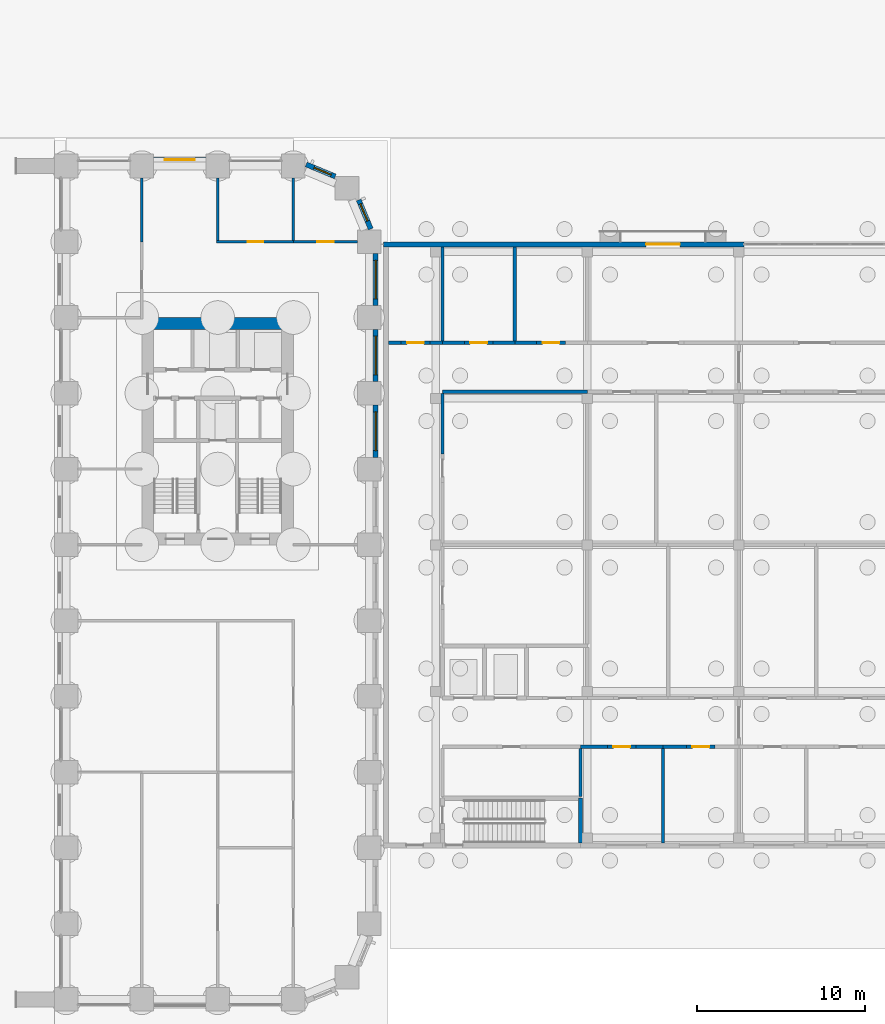
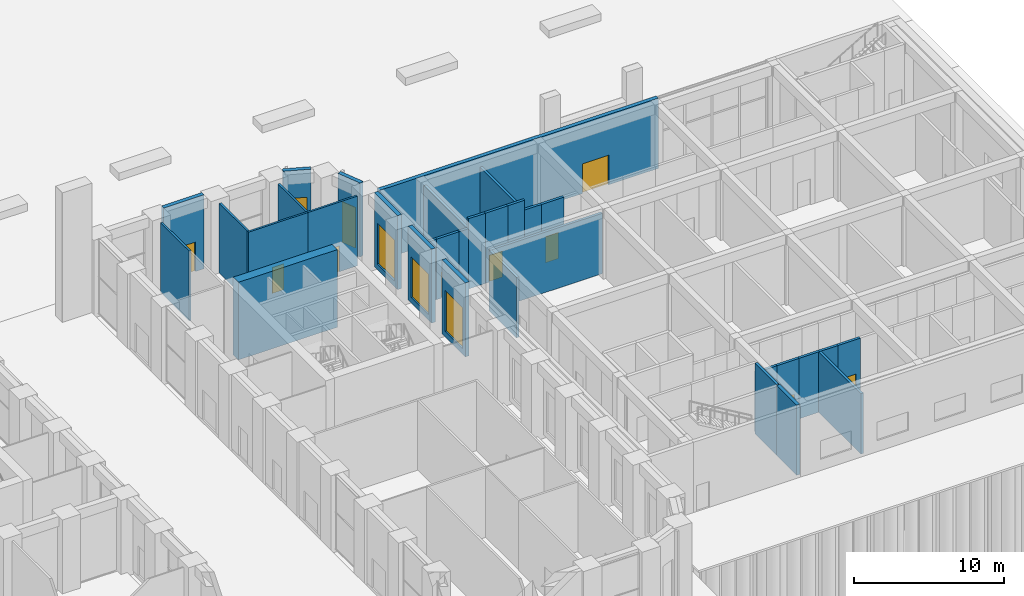
# One storey, part 19 of 31: 33 walls, 9 doors, 5 windows, 14 openings.
"""IFC4 building model written with IfcOpenShell, lengths in metres."""

from ifc_helpers import new_model, si_unit, direction, frame, frame_2d, origin, place, context, subcontext, project, spatial, rectangle, extrude, material, layer, layer_set, type_object, element, fill, save


model = new_model("IFC4")

# Units and contexts
model_context = context("Model", 3, precision=1e-05, world=origin(), true_north=direction((0.0, 1.0)))
body_context = subcontext(model_context, "Body", "Model", "MODEL_VIEW")
ifc_project = project(units=[si_unit("LENGTHUNIT", "METRE"), si_unit("AREAUNIT", "SQUARE_METRE"), si_unit("VOLUMEUNIT", "CUBIC_METRE"), si_unit("PLANEANGLEUNIT", "RADIAN"), si_unit("MASSUNIT", "GRAM", prefix="KILO")], contexts=[model_context])

# Site, building, storey
site_placement = place(None, origin())
site = spatial("IfcSite", under=ifc_project, at=site_placement, CompositionType="ELEMENT")
building_placement = place(site_placement, origin())
building = spatial("IfcBuilding", under=site, at=building_placement, Name="Girih Gate Residences", CompositionType="ELEMENT")
storey_placement = place(building_placement, origin())
storey = spatial("IfcBuildingStorey", under=building, at=storey_placement, Name="L00", CompositionType="ELEMENT", Elevation=0.0)

# Walls
ifc_material_1 = material(Name="Gypsum board on steel studs", Category="steel")
ifc_layer_1 = layer(ifc_material_1, 0.14990234375)
ifc_layer_set_1 = layer_set([ifc_layer_1], Name="Compartment wall 150 mm")
wall_type_1 = type_object("IfcWallType", Name="Compartment wall 150 mm", PredefinedType="PARTITIONING", material=ifc_layer_set_1)
wall_1_placement = place(storey_placement, frame((36.0, 45.0, 0.0), z_axis=(0.0, 0.0, 1.0), x_axis=(0.0, 1.0, 0.0)))
element("IfcWall", 1, at=wall_1_placement, inside=storey, type_object=wall_type_1, Name="L00 partition", PredefinedType="PARTITIONING", context=body_context, shape_type="SweptSolid", body=[
    extrude(rectangle(XDim=3.800048828125, YDim=0.14990234375, at=frame_2d((1.89990234375, 0.0))), origin(), (0.0, 0.0, 1.0), 5.64990234375),
])
wall_2_placement = place(storey_placement, frame((45.0, 45.074951171875, 0.0), z_axis=(0.0, 0.0, 1.0), x_axis=(0.0, 1.0, 0.0)))
element("IfcWall", 2, at=wall_2_placement, inside=storey, type_object=wall_type_1, Name="L00 partition", PredefinedType="PARTITIONING", context=body_context, shape_type="SweptSolid", body=[
    extrude(rectangle(XDim=3.72509765625, YDim=0.14990234375, at=frame_2d((1.862548828125, 0.0))), origin(), (0.0, 0.0, 1.0), 5.64990234375),
])

# Wall, opening, door
wall_3_placement = place(storey_placement, frame((45.0, 45.0, 0.0), z_axis=(0.0, 0.0, 1.0), x_axis=(1.0, 0.0, 0.0)))
wall_3 = element("IfcWall", 3, at=wall_3_placement, inside=storey, type_object=wall_type_1, Name="L00 partition", PredefinedType="PARTITIONING", context=body_context, shape_type="SweptSolid", body=[
    extrude(rectangle(XDim=3.800048828125, YDim=0.14990234375, at=frame_2d((1.89990234375, 0.0))), origin(), (0.0, 0.0, 1.0), 5.64990234375),
])
opening_1_placement = place(wall_3_placement, frame((1.39990234375, 0.0, 0.0)))
opening_1 = element("IfcOpeningElement", 4, at=opening_1_placement, cuts=wall_3, Name="Opening D-L00-S-004", PredefinedType="OPENING", context=body_context, shape_type="SweptSolid", body=[
    extrude(rectangle(XDim=1.0, YDim=2.10009765625, at=frame_2d((0.5, 1.050048828125))), frame((0.0, 0.0849609375, 0.0), z_axis=(0.0, -1.0, 0.0), x_axis=(1.0, 0.0, 0.0)), (0.0, 0.0, 1.0), 0.169921875),
])
ifc_material_2 = material(Name="Painted steel, fire-resisting", Category="steel")
door_type_1 = type_object("IfcDoorType", Name="Plant room door 1000x2100 FD60", OperationType="SINGLE_SWING_LEFT", PredefinedType="DOOR", material=ifc_material_2)
door_1_placement = place(opening_1_placement, origin())
door_1 = element("IfcDoor", 5, at=door_1_placement, inside=storey, type_object=door_type_1, Name="Door L00-004", OperationType="SINGLE_SWING_RIGHT", OverallHeight=2.10009765625, OverallWidth=1.0, PredefinedType="DOOR", context=body_context, shape_type="SweptSolid", body=[
    extrude(rectangle(XDim=1.0, YDim=2.10009765625, at=frame_2d((0.5, 1.050048828125))), frame((0.0, 0.02490234375, 0.0), z_axis=(0.0, -1.0, 0.0), x_axis=(1.0, 0.0, 0.0)), (0.0, 0.0, 1.0), 0.050048828125),
])
fill(opening_1, door_1)

# Wall
wall_4_placement = place(storey_placement, frame((40.5, 45.074951171875, 0.0), z_axis=(0.0, 0.0, 1.0), x_axis=(0.0, 1.0, 0.0)))
element("IfcWall", 6, at=wall_4_placement, inside=storey, type_object=wall_type_1, Name="L00 partition", PredefinedType="PARTITIONING", context=body_context, shape_type="SweptSolid", body=[
    extrude(rectangle(XDim=3.72509765625, YDim=0.14990234375, at=frame_2d((1.862548828125, 0.0))), origin(), (0.0, 0.0, 1.0), 5.64990234375),
])

# Wall, opening, door
wall_5_placement = place(storey_placement, frame((40.425048828125, 45.0, 0.0), z_axis=(0.0, 0.0, 1.0), x_axis=(1.0, 0.0, 0.0)))
wall_5 = element("IfcWall", 7, at=wall_5_placement, inside=storey, type_object=wall_type_1, Name="L00 partition", PredefinedType="PARTITIONING", context=body_context, shape_type="SweptSolid", body=[
    extrude(rectangle(XDim=4.574951171875, YDim=0.14990234375, at=frame_2d((2.28759765625, 0.0))), origin(), (0.0, 0.0, 1.0), 5.64990234375),
])
opening_2_placement = place(wall_5_placement, frame((1.875, 0.0, 0.0)))
opening_2 = element("IfcOpeningElement", 8, at=opening_2_placement, cuts=wall_5, Name="Opening D-L00-S-005", PredefinedType="OPENING", context=body_context, shape_type="SweptSolid", body=[
    extrude(rectangle(XDim=0.89990234375, YDim=2.10009765625, at=frame_2d((0.449951171875, 1.050048828125))), frame((0.0, 0.0849609375, 0.0), z_axis=(0.0, -1.0, 0.0), x_axis=(1.0, 0.0, 0.0)), (0.0, 0.0, 1.0), 0.169921875),
])
ifc_material_3 = material(Name="Timber", Category="wood")
door_type_2 = type_object("IfcDoorType", Name="Room door 900x2100", OperationType="SINGLE_SWING_LEFT", PredefinedType="DOOR", material=ifc_material_3)
door_2_placement = place(opening_2_placement, origin())
door_2 = element("IfcDoor", 9, at=door_2_placement, inside=storey, type_object=door_type_2, Name="Door L00-005", OperationType="SINGLE_SWING_RIGHT", OverallHeight=2.10009765625, OverallWidth=0.89990234375, PredefinedType="DOOR", context=body_context, shape_type="SweptSolid", body=[
    extrude(rectangle(XDim=0.89990234375, YDim=2.10009765625, at=frame_2d((0.449951171875, 1.050048828125))), frame((0.0, 0.02490234375, 0.0), z_axis=(0.0, -1.0, 0.0), x_axis=(1.0, 0.0, 0.0)), (0.0, 0.0, 1.0), 0.050048828125),
])
fill(opening_2, door_2)

# Walls
ifc_material_4 = material(Name="Concrete C60/75", Category="concrete")
ifc_layer_2 = layer(ifc_material_4, 0.699951171875)
ifc_layer_set_2 = layer_set([ifc_layer_2], Name="Core wall RC 700 Concrete C60/75")
wall_type_2 = type_object("IfcWallType", Name="Core wall RC 700 Concrete C60/75", PredefinedType="SOLIDWALL", material=ifc_layer_set_2)
wall_6_placement = place(storey_placement, frame((36.699951171875, 40.14990234375, -0.300048828125), z_axis=(0.0, 0.0, 1.0), x_axis=(1.0, 0.0, 0.0)))
element("IfcWall", 10, at=wall_6_placement, inside=storey, type_object=wall_type_2, Name="Core wall E-N L00", PredefinedType="SOLIDWALL", context=body_context, shape_type="SweptSolid", body=[
    extrude(rectangle(XDim=7.60009765625, YDim=0.699951171875, at=frame_2d((3.800048828125, 0.0))), origin(), (0.0, 0.0, 1.0), 6.300048828125),
])
ifc_material_5 = material(Name="Fire-rated gypsum partition")
ifc_layer_3 = layer(ifc_material_5, 0.199951171875)
ifc_layer_set_3 = layer_set([ifc_layer_3], Name="HC Corridor wall 200 EI 60")
wall_type_3 = type_object("IfcWallType", Name="HC Corridor wall 200 EI 60", PredefinedType="PARTITIONING", material=ifc_layer_set_3)
wall_7_placement = place(storey_placement, frame((62.050048828125, 15.0, 0.0), z_axis=(0.0, 0.0, 1.0), x_axis=(1.0, 0.0, 0.0)))
element("IfcWall", 11, at=wall_7_placement, inside=storey, type_object=wall_type_3, Name="L00 wall x15.00/62.0", PredefinedType="PARTITIONING", context=body_context, shape_type="SweptSolid", body=[
    extrude(rectangle(XDim=1.599853515625, YDim=0.199951171875, at=frame_2d((0.7998046875, 0.0))), origin(), (0.0, 0.0, 1.0), 4.89990234375),
])

# Wall, opening, door
wall_8_placement = place(storey_placement, frame((65.35009765625, 15.0, 0.0), z_axis=(0.0, 0.0, 1.0), x_axis=(-1.0, 0.0, 0.0)))
wall_8 = element("IfcWall", 12, at=wall_8_placement, inside=storey, type_object=wall_type_3, Name="L00 wall x15.00/63.6", PredefinedType="PARTITIONING", context=body_context, shape_type="SweptSolid", body=[
    extrude(rectangle(XDim=1.7001953125, YDim=0.199951171875, at=frame_2d((0.85009765625, 0.0))), origin(), (0.0, 0.0, 1.0), 4.89990234375),
])
opening_3_placement = place(wall_8_placement, frame((0.35009765625, 0.0, 0.0)))
opening_3 = element("IfcOpeningElement", 13, at=opening_3_placement, cuts=wall_8, Name="Opening HC-L00-D10", PredefinedType="OPENING", context=body_context, shape_type="SweptSolid", body=[
    extrude(rectangle(XDim=1.0, YDim=2.10009765625, at=frame_2d((0.5, 1.050048828125))), frame((0.0, 0.10986328125, 0.0), z_axis=(0.0, -1.0, 0.0), x_axis=(1.0, 0.0, 0.0)), (0.0, 0.0, 1.0), 0.219970703125),
])
ifc_material_6 = material(Name="Timber door set", Category="wood")
door_type_3 = type_object("IfcDoorType", Name="HC Door 1000x2100 FD30S", OperationType="NOTDEFINED", PredefinedType="DOOR", material=ifc_material_6)
door_3_placement = place(opening_3_placement, origin())
door_3 = element("IfcDoor", 14, at=door_3_placement, inside=storey, type_object=door_type_3, Name="L00 Urgent care triage door", OperationType="SINGLE_SWING_LEFT", OverallHeight=2.10009765625, OverallWidth=1.0, PredefinedType="DOOR", context=body_context, shape_type="SweptSolid", body=[
    extrude(rectangle(XDim=1.0, YDim=2.10009765625, at=frame_2d((0.5, 1.050048828125))), frame((0.0, 0.02490234375, 0.0), z_axis=(0.0, -1.0, 0.0), x_axis=(1.0, 0.0, 0.0)), (0.0, 0.0, 1.0), 0.050048828125),
])
fill(opening_3, door_3)

# Walls
wall_9_placement = place(storey_placement, frame((65.35009765625, 15.0, 0.0), z_axis=(0.0, 0.0, 1.0), x_axis=(1.0, 0.0, 0.0)))
element("IfcWall", 15, at=wall_9_placement, inside=storey, type_object=wall_type_3, Name="L00 wall x15.00/65.3", PredefinedType="PARTITIONING", context=body_context, shape_type="SweptSolid", body=[
    extrude(rectangle(XDim=1.599853515625, YDim=0.199951171875, at=frame_2d((0.7998046875, 0.0))), origin(), (0.0, 0.0, 1.0), 4.89990234375),
])
wall_10_placement = place(storey_placement, frame((66.949951171875, 15.0, 0.0), z_axis=(0.0, 0.0, 1.0), x_axis=(1.0, 0.0, 0.0)))
element("IfcWall", 16, at=wall_10_placement, inside=storey, type_object=wall_type_3, Name="L00 wall x15.00/67.0", PredefinedType="PARTITIONING", context=body_context, shape_type="SweptSolid", body=[
    extrude(rectangle(XDim=1.400146484375, YDim=0.199951171875, at=frame_2d((0.7001953125, 0.0))), origin(), (0.0, 0.0, 1.0), 4.89990234375),
])

# Wall, opening, door
wall_11_placement = place(storey_placement, frame((70.050048828125, 15.0, 0.0), z_axis=(0.0, 0.0, 1.0), x_axis=(-1.0, 0.0, 0.0)))
wall_11 = element("IfcWall", 17, at=wall_11_placement, inside=storey, type_object=wall_type_3, Name="L00 wall x15.00/68.4", PredefinedType="PARTITIONING", context=body_context, shape_type="SweptSolid", body=[
    extrude(rectangle(XDim=1.699951171875, YDim=0.199951171875, at=frame_2d((0.85009765625, 0.0))), origin(), (0.0, 0.0, 1.0), 4.89990234375),
])
opening_4_placement = place(wall_11_placement, frame((0.35009765625, 0.0, 0.0)))
opening_4 = element("IfcOpeningElement", 18, at=opening_4_placement, cuts=wall_11, Name="Opening HC-L00-D11", PredefinedType="OPENING", context=body_context, shape_type="SweptSolid", body=[
    extrude(rectangle(XDim=1.0, YDim=2.10009765625, at=frame_2d((0.5, 1.050048828125))), frame((0.0, 0.10986328125, 0.0), z_axis=(0.0, -1.0, 0.0), x_axis=(1.0, 0.0, 0.0)), (0.0, 0.0, 1.0), 0.219970703125),
])
door_4_placement = place(opening_4_placement, origin())
door_4 = element("IfcDoor", 19, at=door_4_placement, inside=storey, type_object=door_type_3, Name="L00 Urgent care treatment room door", OperationType="SINGLE_SWING_RIGHT", OverallHeight=2.10009765625, OverallWidth=1.0, PredefinedType="DOOR", context=body_context, shape_type="SweptSolid", body=[
    extrude(rectangle(XDim=1.0, YDim=2.10009765625, at=frame_2d((0.5, 1.050048828125))), frame((0.0, 0.02490234375, 0.0), z_axis=(0.0, -1.0, 0.0), x_axis=(1.0, 0.0, 0.0)), (0.0, 0.0, 1.0), 0.050048828125),
])
fill(opening_4, door_4)

# Walls
wall_12_placement = place(storey_placement, frame((53.85009765625, 36.10009765625, 0.0), z_axis=(0.0, 0.0, 1.0), x_axis=(1.0, 0.0, 0.0)))
element("IfcWall", 20, at=wall_12_placement, inside=storey, type_object=wall_type_3, Name="L00 wall x36.10/53.9", PredefinedType="PARTITIONING", context=body_context, shape_type="SweptSolid", body=[
    extrude(rectangle(XDim=8.599853515625, YDim=0.199951171875, at=frame_2d((4.2998046875, 0.0))), origin(), (0.0, 0.0, 1.0), 4.89990234375),
])
wall_13_placement = place(storey_placement, frame((50.64990234375, 39.0, 0.0), z_axis=(0.0, 0.0, 1.0), x_axis=(1.0, 0.0, 0.0)))
element("IfcWall", 21, at=wall_13_placement, inside=storey, type_object=wall_type_3, Name="L00 wall x39.00/50.6", PredefinedType="PARTITIONING", context=body_context, shape_type="SweptSolid", body=[
    extrude(rectangle(XDim=0.75, YDim=0.199951171875, at=frame_2d((0.375, 0.0))), origin(), (0.0, 0.0, 1.0), 4.89990234375),
])

# Wall, opening, door
wall_14_placement = place(storey_placement, frame((51.39990234375, 39.0, 0.0), z_axis=(0.0, 0.0, 1.0), x_axis=(1.0, 0.0, 0.0)))
wall_14 = element("IfcWall", 22, at=wall_14_placement, inside=storey, type_object=wall_type_3, Name="L00 wall x39.00/51.4", PredefinedType="PARTITIONING", context=body_context, shape_type="SweptSolid", body=[
    extrude(rectangle(XDim=1.7001953125, YDim=0.199951171875, at=frame_2d((0.85009765625, 0.0))), origin(), (0.0, 0.0, 1.0), 4.89990234375),
])
opening_5_placement = place(wall_14_placement, frame((0.35009765625, 0.0, 0.0)))
opening_5 = element("IfcOpeningElement", 23, at=opening_5_placement, cuts=wall_14, Name="Opening HC-L00-D29", PredefinedType="OPENING", context=body_context, shape_type="SweptSolid", body=[
    extrude(rectangle(XDim=1.0, YDim=2.10009765625, at=frame_2d((0.5, 1.050048828125))), frame((0.0, 0.10986328125, 0.0), z_axis=(0.0, -1.0, 0.0), x_axis=(1.0, 0.0, 0.0)), (0.0, 0.0, 1.0), 0.219970703125),
])
door_5_placement = place(opening_5_placement, origin())
door_5 = element("IfcDoor", 24, at=door_5_placement, inside=storey, type_object=door_type_3, Name="L00 Reception office door", OperationType="SINGLE_SWING_LEFT", OverallHeight=2.10009765625, OverallWidth=1.0, PredefinedType="DOOR", context=body_context, shape_type="SweptSolid", body=[
    extrude(rectangle(XDim=1.0, YDim=2.10009765625, at=frame_2d((0.5, 1.050048828125))), frame((0.0, 0.02490234375, 0.0), z_axis=(0.0, -1.0, 0.0), x_axis=(1.0, 0.0, 0.0)), (0.0, 0.0, 1.0), 0.050048828125),
])
fill(opening_5, door_5)

# Walls
wall_15_placement = place(storey_placement, frame((53.10009765625, 39.0, 0.0), z_axis=(0.0, 0.0, 1.0), x_axis=(1.0, 0.0, 0.0)))
element("IfcWall", 25, at=wall_15_placement, inside=storey, type_object=wall_type_3, Name="L00 wall x39.00/53.1", PredefinedType="PARTITIONING", context=body_context, shape_type="SweptSolid", body=[
    extrude(rectangle(XDim=0.75, YDim=0.199951171875, at=frame_2d((0.375, 0.0))), origin(), (0.0, 0.0, 1.0), 4.89990234375),
])
wall_16_placement = place(storey_placement, frame((53.85009765625, 39.0, 0.0), z_axis=(0.0, 0.0, 1.0), x_axis=(1.0, 0.0, 0.0)))
element("IfcWall", 26, at=wall_16_placement, inside=storey, type_object=wall_type_3, Name="L00 wall x39.00/53.9", PredefinedType="PARTITIONING", context=body_context, shape_type="SweptSolid", body=[
    extrude(rectangle(XDim=1.2998046875, YDim=0.199951171875, at=frame_2d((0.64990234375, 0.0))), origin(), (0.0, 0.0, 1.0), 5.699951171875),
])

# Wall, opening, door
wall_17_placement = place(storey_placement, frame((55.14990234375, 39.0, 0.0), z_axis=(0.0, 0.0, 1.0), x_axis=(1.0, 0.0, 0.0)))
wall_17 = element("IfcWall", 27, at=wall_17_placement, inside=storey, type_object=wall_type_3, Name="L00 wall x39.00/55.1", PredefinedType="PARTITIONING", context=body_context, shape_type="SweptSolid", body=[
    extrude(rectangle(XDim=1.7001953125, YDim=0.199951171875, at=frame_2d((0.85009765625, 0.0))), origin(), (0.0, 0.0, 1.0), 5.699951171875),
])
opening_6_placement = place(wall_17_placement, frame((0.35009765625, 0.0, 0.0)))
opening_6 = element("IfcOpeningElement", 28, at=opening_6_placement, cuts=wall_17, Name="Opening HC-L00-D30", PredefinedType="OPENING", context=body_context, shape_type="SweptSolid", body=[
    extrude(rectangle(XDim=1.0, YDim=2.10009765625, at=frame_2d((0.5, 1.050048828125))), frame((0.0, 0.10986328125, 0.0), z_axis=(0.0, -1.0, 0.0), x_axis=(1.0, 0.0, 0.0)), (0.0, 0.0, 1.0), 0.219970703125),
])
door_6_placement = place(opening_6_placement, origin())
door_6 = element("IfcDoor", 29, at=door_6_placement, inside=storey, type_object=door_type_3, Name="L00 Pharmacy counter door", OperationType="SINGLE_SWING_RIGHT", OverallHeight=2.10009765625, OverallWidth=1.0, PredefinedType="DOOR", context=body_context, shape_type="SweptSolid", body=[
    extrude(rectangle(XDim=1.0, YDim=2.10009765625, at=frame_2d((0.5, 1.050048828125))), frame((0.0, 0.02490234375, 0.0), z_axis=(0.0, -1.0, 0.0), x_axis=(1.0, 0.0, 0.0)), (0.0, 0.0, 1.0), 0.050048828125),
])
fill(opening_6, door_6)

# Walls
wall_18_placement = place(storey_placement, frame((56.85009765625, 39.0, 0.0), z_axis=(0.0, 0.0, 1.0), x_axis=(1.0, 0.0, 0.0)))
element("IfcWall", 30, at=wall_18_placement, inside=storey, type_object=wall_type_3, Name="L00 wall x39.00/56.9", PredefinedType="PARTITIONING", context=body_context, shape_type="SweptSolid", body=[
    extrude(rectangle(XDim=1.2998046875, YDim=0.199951171875, at=frame_2d((0.64990234375, 0.0))), origin(), (0.0, 0.0, 1.0), 5.699951171875),
])
wall_19_placement = place(storey_placement, frame((58.14990234375, 39.0, 0.0), z_axis=(0.0, 0.0, 1.0), x_axis=(1.0, 0.0, 0.0)))
element("IfcWall", 31, at=wall_19_placement, inside=storey, type_object=wall_type_3, Name="L00 wall x39.00/58.1", PredefinedType="PARTITIONING", context=body_context, shape_type="SweptSolid", body=[
    extrude(rectangle(XDim=1.300048828125, YDim=0.199951171875, at=frame_2d((0.64990234375, 0.0))), origin(), (0.0, 0.0, 1.0), 4.89990234375),
])

# Wall, opening, door
wall_20_placement = place(storey_placement, frame((59.449951171875, 39.0, 0.0), z_axis=(0.0, 0.0, 1.0), x_axis=(1.0, 0.0, 0.0)))
wall_20 = element("IfcWall", 32, at=wall_20_placement, inside=storey, type_object=wall_type_3, Name="L00 wall x39.00/59.4", PredefinedType="PARTITIONING", context=body_context, shape_type="SweptSolid", body=[
    extrude(rectangle(XDim=1.699951171875, YDim=0.199951171875, at=frame_2d((0.85009765625, 0.0))), origin(), (0.0, 0.0, 1.0), 4.89990234375),
])
opening_7_placement = place(wall_20_placement, frame((0.35009765625, 0.0, 0.0)))
opening_7 = element("IfcOpeningElement", 33, at=opening_7_placement, cuts=wall_20, Name="Opening HC-L00-D31", PredefinedType="OPENING", context=body_context, shape_type="SweptSolid", body=[
    extrude(rectangle(XDim=1.0, YDim=2.10009765625, at=frame_2d((0.5, 1.050048828125))), frame((0.0, 0.10986328125, 0.0), z_axis=(0.0, -1.0, 0.0), x_axis=(1.0, 0.0, 0.0)), (0.0, 0.0, 1.0), 0.219970703125),
])
door_7_placement = place(opening_7_placement, origin())
door_7 = element("IfcDoor", 34, at=door_7_placement, inside=storey, type_object=door_type_3, Name="L00 Patient information room door", OperationType="SINGLE_SWING_LEFT", OverallHeight=2.10009765625, OverallWidth=1.0, PredefinedType="DOOR", context=body_context, shape_type="SweptSolid", body=[
    extrude(rectangle(XDim=1.0, YDim=2.10009765625, at=frame_2d((0.5, 1.050048828125))), frame((0.0, 0.02490234375, 0.0), z_axis=(0.0, -1.0, 0.0), x_axis=(1.0, 0.0, 0.0)), (0.0, 0.0, 1.0), 0.050048828125),
])
fill(opening_7, door_7)

# Wall
wall_21_placement = place(storey_placement, frame((53.85009765625, 32.39990234375, 0.0), z_axis=(0.0, 0.0, 1.0), x_axis=(0.0, 1.0, 0.0)))
element("IfcWall", 35, at=wall_21_placement, inside=storey, type_object=wall_type_3, Name="L00 wall y53.85/32.4", PredefinedType="PARTITIONING", context=body_context, shape_type="SweptSolid", body=[
    extrude(rectangle(XDim=3.60009765625, YDim=0.199951171875, at=frame_2d((1.800048828125, 0.0))), origin(), (0.0, 0.0, 1.0), 4.89990234375),
])

# Wall, opening, door
ifc_material_7 = material(Name="Precast concrete C40/50", Category="concrete")
ifc_layer_4 = layer(ifc_material_7, 0.300048828125)
ifc_layer_set_4 = layer_set([ifc_layer_4], Name="HC Facade wall 300")
wall_type_4 = type_object("IfcWallType", Name="HC Facade wall 300", PredefinedType="SOLIDWALL", material=ifc_layer_set_4)
wall_22_placement = place(storey_placement, frame((50.35009765625, 44.85009765625, 0.0), z_axis=(0.0, 0.0, 1.0), x_axis=(1.0, 0.0, 0.0)))
wall_22 = element("IfcWall", 36, at=wall_22_placement, inside=storey, type_object=wall_type_4, Name="L00 north facade wall west", PredefinedType="SOLIDWALL", context=body_context, shape_type="SweptSolid", body=[
    extrude(rectangle(XDim=21.39990234375, YDim=0.300048828125, at=frame_2d((10.699951171875, 0.0))), origin(), (0.0, 0.0, 1.0), 5.699951171875),
])
opening_8_placement = place(wall_22_placement, frame((15.60009765625, 0.0, 0.0)))
opening_8 = element("IfcOpeningElement", 37, at=opening_8_placement, cuts=wall_22, Name="Opening HC-L00-E1", PredefinedType="OPENING", context=body_context, shape_type="SweptSolid", body=[
    extrude(rectangle(XDim=2.0, YDim=2.39990234375, at=frame_2d((1.0, 1.199951171875))), frame((0.0, 0.159912109375, 0.0), z_axis=(0.0, -1.0, 0.0), x_axis=(1.0, 0.0, 0.0)), (0.0, 0.0, 1.0), 0.320068359375),
])
ifc_material_8 = material(Name="Aluminium glazed door set", Category="aluminium")
door_type_4 = type_object("IfcDoorType", Name="HC Entrance door pair 2000x2400", OperationType="NOTDEFINED", PredefinedType="DOOR", material=ifc_material_8)
door_8_placement = place(opening_8_placement, origin())
door_8 = element("IfcDoor", 38, at=door_8_placement, inside=storey, type_object=door_type_4, Name="L00 main entrance doors", OperationType="DOUBLE_DOOR_DOUBLE_SWING", OverallHeight=2.39990234375, OverallWidth=2.0, PredefinedType="DOOR", context=body_context, shape_type="SweptSolid", body=[
    extrude(rectangle(XDim=2.0, YDim=2.39990234375, at=frame_2d((1.0, 1.199951171875))), frame((0.0, 0.02490234375, 0.0), z_axis=(0.0, -1.0, 0.0), x_axis=(1.0, 0.0, 0.0)), (0.0, 0.0, 1.0), 0.050048828125),
])
fill(opening_8, door_8)

# Walls
ifc_material_9 = material(Name="Gypsum partition")
ifc_layer_5 = layer(ifc_material_9, 0.199951171875)
ifc_layer_set_5 = layer_set([ifc_layer_5], Name="HC Room partition 200 EI 30")
wall_type_5 = type_object("IfcWallType", Name="HC Room partition 200 EI 30", PredefinedType="PARTITIONING", material=ifc_layer_set_5)
for number, where, z_axis, x_axis, name in (
    (39, (53.85009765625, 39.10009765625, 0.0), (0.0, 0.0, 1.0), (0.0, 1.0, 0.0), "L00 wall y53.85/39.1"),
    (40, (58.14990234375, 39.10009765625, 0.0), (0.0, 0.0, 1.0), (0.0, 1.0, 0.0), "L00 wall y58.15/39.1"),
):
    element("IfcWall", number, at=place(storey_placement, frame(where, z_axis=z_axis, x_axis=x_axis)), inside=storey, type_object=wall_type_5, Name=name, PredefinedType="PARTITIONING", context=body_context, shape_type="SweptSolid", body=[
        extrude(rectangle(XDim=5.599853515625, YDim=0.199951171875, at=frame_2d((2.7998046875, 0.0))), origin(), (0.0, 0.0, 1.0), 4.89990234375),
    ])
wall_23_placement = place(storey_placement, frame((62.050048828125, 12.050048828125, 0.0), z_axis=(0.0, 0.0, 1.0), x_axis=(0.0, 1.0, 0.0)))
element("IfcWall", 41, at=wall_23_placement, inside=storey, type_object=wall_type_5, Name="L00 wall y62.05/12.1", PredefinedType="PARTITIONING", context=body_context, shape_type="SweptSolid", body=[
    extrude(rectangle(XDim=2.849853515625, YDim=0.199951171875, at=frame_2d((1.4248046875, 0.0))), origin(), (0.0, 0.0, 1.0), 5.699951171875),
])
wall_24_placement = place(storey_placement, frame((66.949951171875, 9.300048828125, 0.0), z_axis=(0.0, 0.0, 1.0), x_axis=(0.0, 1.0, 0.0)))
element("IfcWall", 42, at=wall_24_placement, inside=storey, type_object=wall_type_5, Name="L00 wall y66.95/9.3", PredefinedType="PARTITIONING", context=body_context, shape_type="SweptSolid", body=[
    extrude(rectangle(XDim=5.599853515625, YDim=0.199951171875, at=frame_2d((2.7998046875, 0.0))), origin(), (0.0, 0.0, 1.0), 4.89990234375),
])
ifc_material_10 = material(Name="Concrete C40/50", Category="concrete")
ifc_layer_6 = layer(ifc_material_10, 0.25)
ifc_layer_set_6 = layer_set([ifc_layer_6], Name="HC Shaft wall 250 C40/50")
wall_type_6 = type_object("IfcWallType", Name="HC Shaft wall 250 C40/50", PredefinedType="SHEAR", material=ifc_layer_set_6)
wall_25_placement = place(storey_placement, frame((62.050048828125, 9.300048828125, 0.0), z_axis=(0.0, 0.0, 1.0), x_axis=(0.0, 1.0, 0.0)))
element("IfcWall", 43, at=wall_25_placement, inside=storey, type_object=wall_type_6, Name="L00 wall y62.05/9.3", PredefinedType="SHEAR", context=body_context, shape_type="SweptSolid", body=[
    extrude(rectangle(XDim=2.64990234375, YDim=0.25, at=frame_2d((1.324951171875, 0.0))), origin(), (0.0, 0.0, 1.0), 5.699951171875),
])

# Wall, opening, window
ifc_material_11 = material(Name="Precast concrete C50/60", Category="concrete")
ifc_layer_7 = layer(ifc_material_11, 0.080078125, Name="Outer leaf")
ifc_material_12 = material(Name="Rigid PIR insulation")
ifc_layer_8 = layer(ifc_material_12, 0.14990234375, Name="Insulation")
ifc_layer_9 = layer(ifc_material_7, 0.070068359375, Name="Inner leaf")
ifc_layer_set_7 = layer_set([ifc_layer_7, ifc_layer_8, ifc_layer_9], Name="Precast concrete C50/60 external wall 300")
wall_type_7 = type_object("IfcWallType", Name="Precast concrete C50/60 external wall 300", PredefinedType="SOLIDWALL", material=ifc_layer_set_7)
wall_26_placement = place(storey_placement, frame((49.875, 35.300048828125, 0.0), z_axis=(0.0, 0.0, 1.0), x_axis=(0.0, -1.0, 0.0)))
wall_26 = element("IfcWall", 44, at=wall_26_placement, inside=storey, type_object=wall_type_7, Name="External wall E0495_0045.6", PredefinedType="SOLIDWALL", context=body_context, shape_type="SweptSolid", body=[
    extrude(rectangle(XDim=3.10009765625, YDim=0.300048828125, at=frame_2d((1.550048828125, 0.0))), origin(), (0.0, 0.0, 1.0), 6.0),
])
opening_9_placement = place(wall_26_placement, frame((0.39990234375, 0.0, 0.449951171875)))
opening_9 = element("IfcOpeningElement", 45, at=opening_9_placement, cuts=wall_26, Name="Opening W-3", PredefinedType="OPENING", context=body_context, shape_type="SweptSolid", body=[
    extrude(rectangle(XDim=2.300048828125, YDim=3.300048828125, at=frame_2d((1.14990234375, 1.64990234375))), frame((0.0, 0.159912109375, 0.0), z_axis=(0.0, -1.0, 0.0), x_axis=(1.0, 0.0, 0.0)), (0.0, 0.0, 1.0), 0.320068359375),
])
ifc_material_13 = material(Name="Double glazing in aluminium frame", Category="aluminium")
window_type_1 = type_object("IfcWindowType", Name="Window W-3 2300x3300", PartitioningType="SINGLE_PANEL", PredefinedType="WINDOW", material=ifc_material_13)
window_1_placement = place(opening_9_placement, origin())
window_1 = element("IfcWindow", 46, at=window_1_placement, inside=storey, type_object=window_type_1, Name="Window W-3 E0495_0045.6", OverallHeight=3.300048828125, OverallWidth=2.300048828125, PartitioningType="SINGLE_PANEL", PredefinedType="WINDOW", context=body_context, shape_type="SweptSolid", body=[
    extrude(rectangle(XDim=2.300048828125, YDim=3.300048828125, at=frame_2d((1.14990234375, 1.64990234375))), frame((0.0, 0.030029296875, 0.0), z_axis=(0.0, -1.0, 0.0), x_axis=(1.0, 0.0, 0.0)), (0.0, 0.0, 1.0), 0.06005859375),
])
fill(opening_9, window_1)

wall_27_placement = place(storey_placement, frame((49.875, 39.800048828125, 0.0), z_axis=(0.0, 0.0, 1.0), x_axis=(0.0, -1.0, 0.0)))
wall_27 = element("IfcWall", 47, at=wall_27_placement, inside=storey, type_object=wall_type_7, Name="External wall E0495_0045.7", PredefinedType="SOLIDWALL", context=body_context, shape_type="SweptSolid", body=[
    extrude(rectangle(XDim=3.10009765625, YDim=0.300048828125, at=frame_2d((1.550048828125, 0.0))), origin(), (0.0, 0.0, 1.0), 6.0),
])
opening_10_placement = place(wall_27_placement, frame((0.39990234375, 0.0, 0.449951171875)))
opening_10 = element("IfcOpeningElement", 48, at=opening_10_placement, cuts=wall_27, Name="Opening W-3", PredefinedType="OPENING", context=body_context, shape_type="SweptSolid", body=[
    extrude(rectangle(XDim=2.300048828125, YDim=3.300048828125, at=frame_2d((1.14990234375, 1.64990234375))), frame((0.0, 0.159912109375, 0.0), z_axis=(0.0, -1.0, 0.0), x_axis=(1.0, 0.0, 0.0)), (0.0, 0.0, 1.0), 0.320068359375),
])
window_2_placement = place(opening_10_placement, origin())
window_2 = element("IfcWindow", 49, at=window_2_placement, inside=storey, type_object=window_type_1, Name="Window W-3 E0495_0045.7", OverallHeight=3.300048828125, OverallWidth=2.300048828125, PartitioningType="SINGLE_PANEL", PredefinedType="WINDOW", context=body_context, shape_type="SweptSolid", body=[
    extrude(rectangle(XDim=2.300048828125, YDim=3.300048828125, at=frame_2d((1.14990234375, 1.64990234375))), frame((0.0, 0.030029296875, 0.0), z_axis=(0.0, -1.0, 0.0), x_axis=(1.0, 0.0, 0.0)), (0.0, 0.0, 1.0), 0.06005859375),
])
fill(opening_10, window_2)

wall_28_placement = place(storey_placement, frame((49.875, 44.300048828125, 0.0), z_axis=(0.0, 0.0, 1.0), x_axis=(0.0, -1.0, 0.0)))
wall_28 = element("IfcWall", 50, at=wall_28_placement, inside=storey, type_object=wall_type_7, Name="External wall E0495_0045.8", PredefinedType="SOLIDWALL", context=body_context, shape_type="SweptSolid", body=[
    extrude(rectangle(XDim=3.10009765625, YDim=0.300048828125, at=frame_2d((1.550048828125, 0.0))), origin(), (0.0, 0.0, 1.0), 6.0),
])
opening_11_placement = place(wall_28_placement, frame((0.39990234375, 0.0, 0.449951171875)))
opening_11 = element("IfcOpeningElement", 51, at=opening_11_placement, cuts=wall_28, Name="Opening W-3", PredefinedType="OPENING", context=body_context, shape_type="SweptSolid", body=[
    extrude(rectangle(XDim=2.300048828125, YDim=3.300048828125, at=frame_2d((1.14990234375, 1.64990234375))), frame((0.0, 0.159912109375, 0.0), z_axis=(0.0, -1.0, 0.0), x_axis=(1.0, 0.0, 0.0)), (0.0, 0.0, 1.0), 0.320068359375),
])
window_3_placement = place(opening_11_placement, origin())
window_3 = element("IfcWindow", 52, at=window_3_placement, inside=storey, type_object=window_type_1, Name="Window W-3 E0495_0045.8", OverallHeight=3.300048828125, OverallWidth=2.300048828125, PartitioningType="SINGLE_PANEL", PredefinedType="WINDOW", context=body_context, shape_type="SweptSolid", body=[
    extrude(rectangle(XDim=2.300048828125, YDim=3.300048828125, at=frame_2d((1.14990234375, 1.64990234375))), frame((0.0, 0.030029296875, 0.0), z_axis=(0.0, -1.0, 0.0), x_axis=(1.0, 0.0, 0.0)), (0.0, 0.0, 1.0), 0.06005859375),
])
fill(opening_11, window_3)

wall_29_placement = place(storey_placement, frame((48.87841796875, 47.48046875, 0.0), z_axis=(0.0, 0.0, 1.0), x_axis=(0.38262540684, -0.923903565336, 0.0)))
wall_29 = element("IfcWall", 53, at=wall_29_placement, inside=storey, type_object=wall_type_7, Name="External wall NE0495_0450.0", PredefinedType="SOLIDWALL", context=body_context, shape_type="SweptSolid", body=[
    extrude(rectangle(XDim=1.864990234375, YDim=0.300048828125, at=frame_2d((0.9326171875, 0.0))), origin(), (0.0, 0.0, 1.0), 6.0),
])
opening_12_placement = place(wall_29_placement, frame((0.257568359375, 0.0, 0.449951171875)))
opening_12 = element("IfcOpeningElement", 54, at=opening_12_placement, cuts=wall_29, Name="Opening W-2A", PredefinedType="OPENING", context=body_context, shape_type="SweptSolid", body=[
    extrude(rectangle(XDim=1.10009765625, YDim=3.300048828125, at=frame_2d((0.550048828125, 1.64990234375))), frame((0.0, 0.159912109375, 0.0), z_axis=(0.0, -1.0, 0.0), x_axis=(1.0, 0.0, 0.0)), (0.0, 0.0, 1.0), 0.320068359375),
])
window_type_2 = type_object("IfcWindowType", Name="Window W-2A 1100x3300", PartitioningType="SINGLE_PANEL", PredefinedType="WINDOW", material=ifc_material_13)
window_4_placement = place(opening_12_placement, origin())
window_4 = element("IfcWindow", 55, at=window_4_placement, inside=storey, type_object=window_type_2, Name="Window W-2A NE0495_0450.0", OverallHeight=3.300048828125, OverallWidth=1.10009765625, PartitioningType="SINGLE_PANEL", PredefinedType="WINDOW", context=body_context, shape_type="SweptSolid", body=[
    extrude(rectangle(XDim=1.10009765625, YDim=3.300048828125, at=frame_2d((0.550048828125, 1.64990234375))), frame((0.0, 0.030029296875, 0.0), z_axis=(0.0, -1.0, 0.0), x_axis=(1.0, 0.0, 0.0)), (0.0, 0.0, 1.0), 0.06005859375),
])
fill(opening_12, window_4)

wall_30_placement = place(storey_placement, frame((45.75732421875, 49.59228515625, 0.0), z_axis=(0.0, 0.0, 1.0), x_axis=(0.923857286003, -0.382737135771, 0.0)))
wall_30 = element("IfcWall", 56, at=wall_30_placement, inside=storey, type_object=wall_type_7, Name="External wall NE0482_0482.0", PredefinedType="SOLIDWALL", context=body_context, shape_type="SweptSolid", body=[
    extrude(rectangle(XDim=1.865234375, YDim=0.300048828125, at=frame_2d((0.9326171875, 0.0))), origin(), (0.0, 0.0, 1.0), 6.0),
])
opening_13_placement = place(wall_30_placement, frame((0.507568359375, 0.0, 0.449951171875)))
opening_13 = element("IfcOpeningElement", 57, at=opening_13_placement, cuts=wall_30, Name="Opening W-2A", PredefinedType="OPENING", context=body_context, shape_type="SweptSolid", body=[
    extrude(rectangle(XDim=1.10009765625, YDim=3.300048828125, at=frame_2d((0.550048828125, 1.64990234375))), frame((0.0, 0.159912109375, 0.0), z_axis=(0.0, -1.0, 0.0), x_axis=(1.0, 0.0, 0.0)), (0.0, 0.0, 1.0), 0.320068359375),
])
window_5_placement = place(opening_13_placement, origin())
window_5 = element("IfcWindow", 58, at=window_5_placement, inside=storey, type_object=window_type_2, Name="Window W-2A NE0482_0482.0", OverallHeight=3.300048828125, OverallWidth=1.10009765625, PartitioningType="SINGLE_PANEL", PredefinedType="WINDOW", context=body_context, shape_type="SweptSolid", body=[
    extrude(rectangle(XDim=1.10009765625, YDim=3.300048828125, at=frame_2d((0.550048828125, 1.64990234375))), frame((0.0, 0.030029296875, 0.0), z_axis=(0.0, -1.0, 0.0), x_axis=(1.0, 0.0, 0.0)), (0.0, 0.0, 1.0), 0.06005859375),
])
fill(opening_13, window_5)

# Wall, opening, door
wall_31_placement = place(storey_placement, frame((36.699951171875, 49.875, 0.0), z_axis=(0.0, 0.0, 1.0), x_axis=(1.0, 0.0, 0.0)))
wall_31 = element("IfcWall", 59, at=wall_31_placement, inside=storey, type_object=wall_type_7, Name="External wall N0450_0495.1", PredefinedType="SOLIDWALL", context=body_context, shape_type="SweptSolid", body=[
    extrude(rectangle(XDim=3.10009765625, YDim=0.300048828125, at=frame_2d((1.550048828125, 0.0))), origin(), (0.0, 0.0, 1.0), 6.0),
])
opening_14_placement = place(wall_31_placement, frame((0.64990234375, 0.0, 0.0)))
opening_14 = element("IfcOpeningElement", 60, at=opening_14_placement, cuts=wall_31, Name="Opening ED-1", PredefinedType="OPENING", context=body_context, shape_type="SweptSolid", body=[
    extrude(rectangle(XDim=1.800048828125, YDim=2.39990234375, at=frame_2d((0.89990234375, 1.199951171875))), frame((0.0, 0.159912109375, 0.0), z_axis=(0.0, -1.0, 0.0), x_axis=(1.0, 0.0, 0.0)), (0.0, 0.0, 1.0), 0.320068359375),
])
ifc_material_14 = material(Name="Aluminium and glass entrance door", Category="aluminium")
door_type_5 = type_object("IfcDoorType", Name="Entrance door pair 1800x2400", OperationType="DOUBLE_DOOR_SINGLE_SWING", PredefinedType="DOOR", material=ifc_material_14)
door_9_placement = place(opening_14_placement, origin())
door_9 = element("IfcDoor", 61, at=door_9_placement, inside=storey, type_object=door_type_5, Name="Plaza entrance N0450_0495.1", OperationType="SINGLE_SWING_LEFT", OverallHeight=2.39990234375, OverallWidth=1.800048828125, PredefinedType="DOOR", context=body_context, shape_type="SweptSolid", body=[
    extrude(rectangle(XDim=1.800048828125, YDim=2.39990234375, at=frame_2d((0.89990234375, 1.199951171875))), frame((0.0, 0.02490234375, 0.0), z_axis=(0.0, -1.0, 0.0), x_axis=(1.0, 0.0, 0.0)), (0.0, 0.0, 1.0), 0.050048828125),
])
fill(opening_14, door_9)

save(model, "model.ifc")
